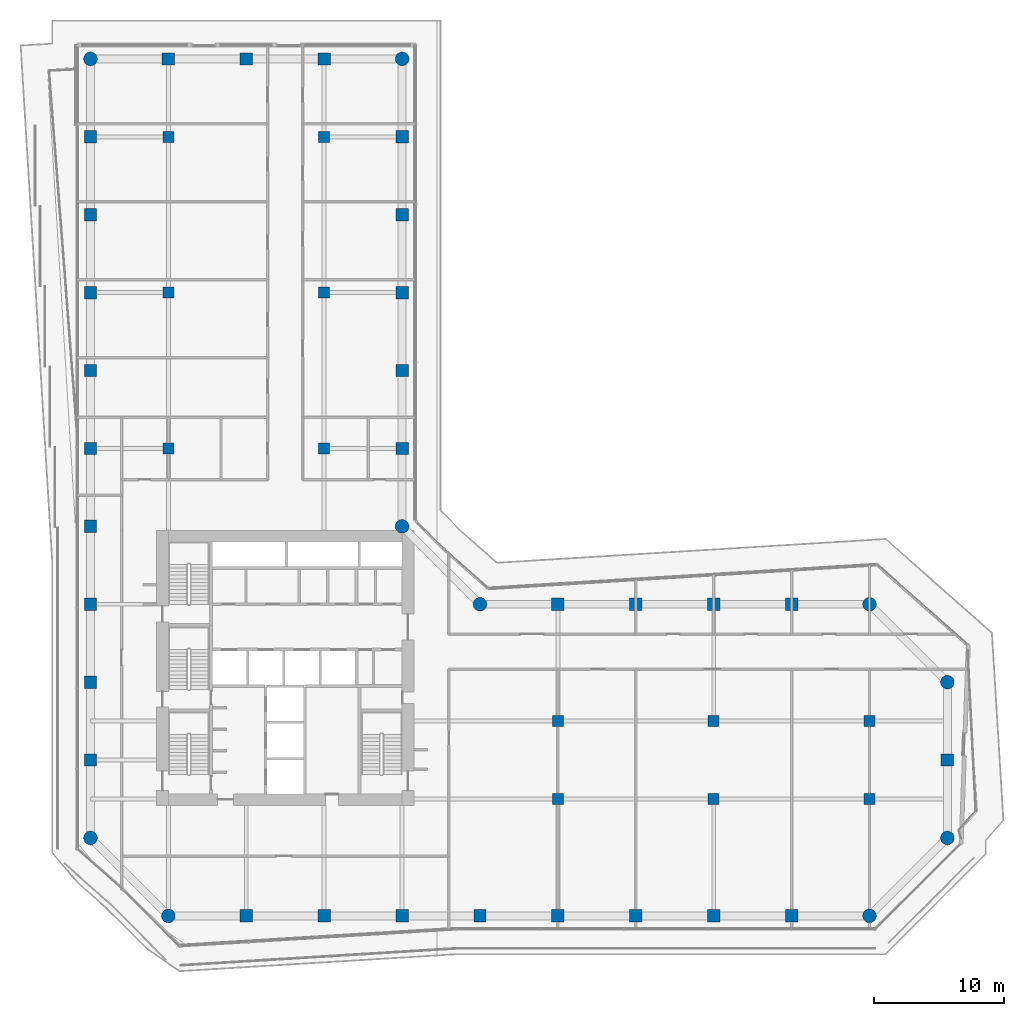
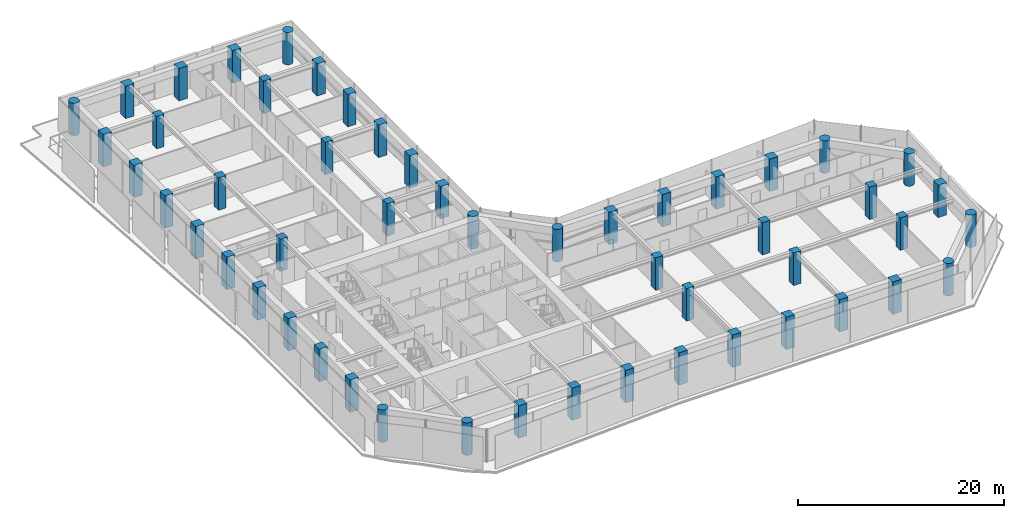
# One storey, part 1 of 29: 52 columns.
"""IFC4 building model written with IfcOpenShell, lengths in metres."""

import ifcopenshell
import ifcopenshell.guid

model = None  # the IFC model being written
_history = None  # IfcOwnerHistory: only IFC2X3 demands one
_inside = {}  # id of a spatial element -> (the spatial element, [elements in it])
_under = {}  # id of a project, library or spatial element -> (it, [spatial elements below it])
_declared = {}  # id of a project -> (the project, [libraries it declares])
_typed = {}  # id of a type object -> (the type object, [elements of that type])
_made_of = {}  # id of a material, layer set ... -> (it, [elements and type objects made of it])


def new_model(schema):
    """Start an empty IFC model of exactly this schema.

    Asked for "IFC4X3", IfcOpenShell would pick the latest addendum, in which some entities
    have other attributes; the version numbers below select the first issue.
    IFC2X3 requires an IfcOwnerHistory on every rooted entity: one is made here for all.
    """
    global model, _history
    if schema == "IFC4X3":
        model = ifcopenshell.file(schema_version=(4, 3, 0, 0))
    else:
        model = ifcopenshell.file(schema=schema)
    _inside.clear()
    _under.clear()
    _declared.clear()
    _typed.clear()
    _made_of.clear()
    _history = None
    if model.schema == "IFC2X3":
        org = make("IfcOrganization", Name="unknown")
        user = make(
            "IfcPersonAndOrganization",
            ThePerson=make("IfcPerson", FamilyName="unknown"),
            TheOrganization=org,
        )
        app = make(
            "IfcApplication",
            ApplicationDeveloper=org,
            Version="unknown",
            ApplicationFullName="unknown",
            ApplicationIdentifier="unknown",
        )
        _history = make(
            "IfcOwnerHistory",
            OwningUser=user,
            OwningApplication=app,
            ChangeAction="ADDED",
            CreationDate=0,
        )
    return model


def make(cls, **values):
    """One entity of the class cls with the attributes given. An attribute that is None is left unset."""
    return model.create_entity(
        cls, **{name: value for name, value in values.items() if value is not None}
    )


def rooted(cls, **values):
    """An entity with a GlobalId (a new one), such as an element, a storey or a relation."""
    return make(cls, GlobalId=ifcopenshell.guid.new(), OwnerHistory=_history, **values)


def si_unit(unit_type, name, prefix=None):
    """IfcSIUnit, for example si_unit("LENGTHUNIT", "METRE", prefix="MILLI")."""
    return make("IfcSIUnit", UnitType=unit_type, Prefix=prefix, Name=name)


def assignment(units):
    """IfcUnitAssignment: the units of a project."""
    return None if units is None else make("IfcUnitAssignment", Units=units)


def point(xyz):
    """IfcCartesianPoint."""
    return None if xyz is None else make("IfcCartesianPoint", Coordinates=xyz)


def direction(xyz):
    """IfcDirection."""
    return None if xyz is None else make("IfcDirection", DirectionRatios=xyz)


def frame(location, z_axis=None, x_axis=None):
    """IfcAxis2Placement3D, a coordinate frame: its origin and axes. An axis left out is left unset."""
    return make(
        "IfcAxis2Placement3D",
        Location=point(location),
        Axis=direction(z_axis),
        RefDirection=direction(x_axis),
    )


def frame_2d(location, x_axis=None):
    """IfcAxis2Placement2D, a coordinate frame in the plane: its origin and x axis."""
    return make(
        "IfcAxis2Placement2D", Location=point(location), RefDirection=direction(x_axis)
    )


def origin():
    """The frame at (0, 0, 0) with its axes left unset."""
    return frame((0.0, 0.0, 0.0))


def origin_2d():
    """The frame at (0, 0) in the plane with its x axis left unset."""
    return frame_2d((0.0, 0.0))


def place(relative_to, where):
    """IfcLocalPlacement: puts the frame where relative to a parent placement (None: the world)."""
    return make(
        "IfcLocalPlacement", PlacementRelTo=relative_to, RelativePlacement=where
    )


def context(
    kind, dimensions, precision=None, world=None, true_north=None, identifier=None
):
    """IfcGeometricRepresentationContext, for example the 3D "Model" context."""
    return make(
        "IfcGeometricRepresentationContext",
        ContextIdentifier=identifier,
        ContextType=kind,
        CoordinateSpaceDimension=dimensions,
        Precision=precision,
        WorldCoordinateSystem=world,
        TrueNorth=true_north,
    )


def subcontext(parent, identifier, kind, view, scale=None):
    """IfcGeometricRepresentationSubContext, for example "Body" below "Model"."""
    return make(
        "IfcGeometricRepresentationSubContext",
        ContextIdentifier=identifier,
        ContextType=kind,
        ParentContext=parent,
        TargetScale=scale,
        TargetView=view,
    )


def project(units=None, contexts=None):
    """IfcProject with its units and contexts."""
    return rooted(
        "IfcProject",
        Name="project",
        RepresentationContexts=contexts,
        UnitsInContext=assignment(units),
    )


def spatial(cls, under=None, at=None, **own):
    """A site, building, storey or space (cls), placed at a placement, below another one or the project."""
    s = rooted(cls, ObjectPlacement=at, **own)
    if under is not None:
        _under.setdefault(under.id(), (under, []))[1].append(s)
    return s


def profile(cls, at=None, kind="AREA", **sizes):
    """A parametric profile (cls). Its sizes go by their IFC names, for example OverallWidth=200.0."""
    return make(cls, ProfileType=kind, Position=at, **sizes)


def rectangle(**sizes):
    """IfcRectangleProfileDef."""
    return profile("IfcRectangleProfileDef", **sizes)


def circle(**sizes):
    """IfcCircleProfileDef."""
    return profile("IfcCircleProfileDef", **sizes)


def extrude(swept, where, along, depth):
    """IfcExtrudedAreaSolid: the profile swept, set in the frame where, extruded along a direction by depth."""
    return make(
        "IfcExtrudedAreaSolid",
        SweptArea=swept,
        Position=where,
        ExtrudedDirection=direction(along),
        Depth=depth,
    )


def shape(context_of_items, identifier, shape_type, items):
    """IfcShapeRepresentation: the items that make up one representation, for example the "Body"."""
    return make(
        "IfcShapeRepresentation",
        ContextOfItems=context_of_items,
        RepresentationIdentifier=identifier,
        RepresentationType=shape_type,
        Items=items,
    )


def material(Name=None, Category=None):
    """IfcMaterial."""
    return make("IfcMaterial", Name=Name, Category=Category)


def material_profile(
    of_material, cross_section, Name=None, Category=None, Priority=None
):
    """IfcMaterialProfile: a cross section and its material."""
    return make(
        "IfcMaterialProfile",
        Name=Name,
        Material=of_material,
        Profile=cross_section,
        Priority=Priority,
        Category=Category,
    )


def profile_set(profiles, Name=None, composite=None):
    """IfcMaterialProfileSet."""
    return make(
        "IfcMaterialProfileSet",
        Name=Name,
        MaterialProfiles=profiles,
        CompositeProfile=composite,
    )


def made_of(thing, what):
    """Note that an element or type object is made of a material, layer set ...; save() writes the relation."""
    if what is not None:
        _made_of.setdefault(what.id(), (what, []))[1].append(thing)
    return thing


def type_object(cls, material=None, **own):
    """A type object (cls), such as IfcWallType, which elements share."""
    return made_of(rooted(cls, **own), material)


def element(
    cls,
    number,
    at=None,
    inside=None,
    cuts=None,
    type_object=None,
    material=None,
    context=None,
    identifier="Body",
    shape_type=None,
    held_by="IfcProductDefinitionShape",
    body=None,
    shapes=None,
    **own,
):
    """One element of the class cls, such as IfcWall. Its Tag is "e" and its number.

    at: its placement. inside: the storey or other place that contains it. cuts: it is an
    opening in that element (IfcRelVoidsElement). A single representation is given by context,
    identifier, shape_type and body (its items); several are given by shapes. held_by: the class
    of the entity that holds the representations. save() writes the other relations.
    """
    e = rooted(cls, Tag="e%d" % number, ObjectPlacement=at, **own)
    if body is not None:
        shapes = [shape(context, identifier, shape_type, body)]
    if shapes is not None:
        e.Representation = make(held_by, Representations=shapes)
    if inside is not None:
        _inside.setdefault(inside.id(), (inside, []))[1].append(e)
    if cuts is not None:
        rooted(
            "IfcRelVoidsElement", RelatingBuildingElement=cuts, RelatedOpeningElement=e
        )
    if type_object is not None:
        _typed.setdefault(type_object.id(), (type_object, []))[1].append(e)
    return made_of(e, material)


def aggregate(whole, parts):
    """IfcRelAggregates: a whole, such as a stair, and the parts it consists of."""
    return rooted("IfcRelAggregates", RelatingObject=whole, RelatedObjects=parts)


def save(model, path):
    """Write the relations noted so far, then the file.

    IfcRelAggregates (storeys below a building ...), IfcRelContainedInSpatialStructure (elements
    in a storey), IfcRelDefinesByType, IfcRelAssociatesMaterial and IfcRelDeclares: one each for
    every whole, place, type object, material and project.
    """
    for whole, parts in _under.values():
        aggregate(whole, parts)
    for where, things in _inside.values():
        rooted(
            "IfcRelContainedInSpatialStructure",
            RelatedElements=things,
            RelatingStructure=where,
        )
    for kind, things in _typed.values():
        rooted("IfcRelDefinesByType", RelatedObjects=things, RelatingType=kind)
    for what, things in _made_of.values():
        rooted("IfcRelAssociatesMaterial", RelatedObjects=things, RelatingMaterial=what)
    for by, libraries in _declared.values():
        rooted("IfcRelDeclares", RelatingContext=by, RelatedDefinitions=libraries)
    model.write(path)


model = new_model("IFC4")

# Units and contexts
model_context = context("Model", 3, precision=1e-05, world=origin(), true_north=direction((0.0, 1.0)))
body_context = subcontext(model_context, "Body", "Model", "MODEL_VIEW")
ifc_project = project(units=[si_unit("LENGTHUNIT", "METRE"), si_unit("AREAUNIT", "SQUARE_METRE"), si_unit("VOLUMEUNIT", "CUBIC_METRE"), si_unit("PLANEANGLEUNIT", "RADIAN"), si_unit("MASSUNIT", "GRAM", prefix="KILO")], contexts=[model_context])

# Site, building, storey
site_placement = place(None, origin())
site = spatial("IfcSite", under=ifc_project, at=site_placement, CompositionType="ELEMENT")
building_placement = place(site_placement, origin())
building = spatial("IfcBuilding", under=site, at=building_placement, Name="Welwitschia Terrace Campus", CompositionType="ELEMENT")
storey_placement = place(building_placement, frame((0.0, 0.0, 66.800048828125)))
storey = spatial("IfcBuildingStorey", under=building, at=storey_placement, Name="L15", CompositionType="ELEMENT", Elevation=66.800048828125)

# Columns
ifc_material_1 = material(Name="Concrete C60/75", Category="concrete")
ifc_material_profile_1 = material_profile(ifc_material_1, circle(Radius=0.52490234375, at=origin_2d()))
ifc_profile_set_1 = profile_set([ifc_material_profile_1], Name="Concrete C60/75")
column_type_1 = type_object("IfcColumnType", Name="Corner column 1050 dia", PredefinedType="COLUMN", material=ifc_profile_set_1)
for number, where, z_axis, x_axis, name in (
    (1, (0.0, 2.0, 0.0), (0.0, 0.0, 1.0), (1.0, 0.0, 0.0), "Column C5"),
    (2, (0.0, 62.0, 0.0), (0.0, 0.0, 1.0), (1.0, 0.0, 0.0), "Column C5"),
    (3, (6.0, -4.0, 0.0), (0.0, 0.0, 1.0), (1.0, 0.0, 0.0), "Column C5"),
    (4, (24.0, 26.0, 0.0), (0.0, 0.0, 1.0), (1.0, 0.0, 0.0), "Column C5"),
    (5, (24.0, 62.0, 0.0), (0.0, 0.0, 1.0), (1.0, 0.0, 0.0), "Column C5"),
    (6, (30.0, 20.0, 0.0), (0.0, 0.0, 1.0), (1.0, 0.0, 0.0), "Column C5"),
    (7, (60.0, -4.0, 0.0), (0.0, 0.0, 1.0), (1.0, 0.0, 0.0), "Column C5"),
    (8, (60.0, 20.0, 0.0), (0.0, 0.0, 1.0), (1.0, 0.0, 0.0), "Column C5"),
    (9, (66.0, 2.0, 0.0), (0.0, 0.0, 1.0), (1.0, 0.0, 0.0), "Column C5"),
    (10, (66.0, 14.0, 0.0), (0.0, 0.0, 1.0), (1.0, 0.0, 0.0), "Column C5"),
):
    element("IfcColumn", number, at=place(storey_placement, frame(where, z_axis=z_axis, x_axis=x_axis)), inside=storey, type_object=column_type_1, Name=name, PredefinedType="COLUMN", context=body_context, shape_type="SweptSolid", body=[
        extrude(circle(Radius=0.52490234375, at=origin_2d()), origin(), (0.0, 0.0, 1.0), 3.849853515625),
    ])
ifc_material_2 = material(Name="Concrete C60/75", Category="concrete")
ifc_material_profile_2 = material_profile(ifc_material_2, rectangle(XDim=0.85009765625, YDim=0.85009765625, at=origin_2d()))
ifc_profile_set_2 = profile_set([ifc_material_profile_2], Name="Concrete C60/75")
column_type_2 = type_object("IfcColumnType", Name="Interior column 850x850", PredefinedType="COLUMN", material=ifc_profile_set_2)
for number, where, z_axis, x_axis, name in (
    (11, (6.0, 32.0, 0.0), (0.0, 0.0, 1.0), (1.0, 0.0, 0.0), "Column C7"),
    (12, (6.0, 44.0, 0.0), (0.0, 0.0, 1.0), (1.0, 0.0, 0.0), "Column C7"),
    (13, (6.0, 56.0, 0.0), (0.0, 0.0, 1.0), (1.0, 0.0, 0.0), "Column C7"),
    (14, (18.0, 32.0, 0.0), (0.0, 0.0, 1.0), (1.0, 0.0, 0.0), "Column C7"),
    (15, (18.0, 44.0, 0.0), (0.0, 0.0, 1.0), (1.0, 0.0, 0.0), "Column C7"),
    (16, (18.0, 56.0, 0.0), (0.0, 0.0, 1.0), (1.0, 0.0, 0.0), "Column C7"),
    (17, (36.0, 5.0, 0.0), (0.0, 0.0, 1.0), (1.0, 0.0, 0.0), "Column C7"),
    (18, (36.0, 11.0, 0.0), (0.0, 0.0, 1.0), (1.0, 0.0, 0.0), "Column C7"),
    (19, (48.0, 5.0, 0.0), (0.0, 0.0, 1.0), (1.0, 0.0, 0.0), "Column C7"),
    (20, (48.0, 11.0, 0.0), (0.0, 0.0, 1.0), (1.0, 0.0, 0.0), "Column C7"),
    (21, (60.0, 5.0, 0.0), (0.0, 0.0, 1.0), (1.0, 0.0, 0.0), "Column C7"),
    (22, (60.0, 11.0, 0.0), (0.0, 0.0, 1.0), (1.0, 0.0, 0.0), "Column C7"),
):
    element("IfcColumn", number, at=place(storey_placement, frame(where, z_axis=z_axis, x_axis=x_axis)), inside=storey, type_object=column_type_2, Name=name, PredefinedType="COLUMN", context=body_context, shape_type="SweptSolid", body=[
        extrude(rectangle(XDim=0.85009765625, YDim=0.85009765625, at=origin_2d()), origin(), (0.0, 0.0, 1.0), 3.849853515625),
    ])
ifc_material_3 = material(Name="Concrete C60/75", Category="concrete")
ifc_material_profile_3 = material_profile(ifc_material_3, rectangle(XDim=0.949951171875, YDim=0.949951171875, at=origin_2d()))
ifc_profile_set_3 = profile_set([ifc_material_profile_3], Name="Concrete C60/75")
column_type_3 = type_object("IfcColumnType", Name="Ring column 950x950", PredefinedType="COLUMN", material=ifc_profile_set_3)
for number, where, z_axis, x_axis, name in (
    (23, (0.0, 8.0, 0.0), (0.0, 0.0, 1.0), (1.0, 0.0, 0.0), "Column C6"),
    (24, (0.0, 14.0, 0.0), (0.0, 0.0, 1.0), (1.0, 0.0, 0.0), "Column C6"),
    (25, (0.0, 20.0, 0.0), (0.0, 0.0, 1.0), (1.0, 0.0, 0.0), "Column C6"),
    (26, (0.0, 26.0, 0.0), (0.0, 0.0, 1.0), (1.0, 0.0, 0.0), "Column C6"),
    (27, (0.0, 32.0, 0.0), (0.0, 0.0, 1.0), (1.0, 0.0, 0.0), "Column C6"),
    (28, (0.0, 38.0, 0.0), (0.0, 0.0, 1.0), (1.0, 0.0, 0.0), "Column C6"),
    (29, (0.0, 44.0, 0.0), (0.0, 0.0, 1.0), (1.0, 0.0, 0.0), "Column C6"),
    (30, (0.0, 50.0, 0.0), (0.0, 0.0, 1.0), (1.0, 0.0, 0.0), "Column C6"),
    (31, (0.0, 56.0, 0.0), (0.0, 0.0, 1.0), (1.0, 0.0, 0.0), "Column C6"),
    (32, (6.0, 62.0, 0.0), (0.0, 0.0, 1.0), (1.0, 0.0, 0.0), "Column C6"),
    (33, (12.0, -4.0, 0.0), (0.0, 0.0, 1.0), (1.0, 0.0, 0.0), "Column C6"),
    (34, (12.0, 62.0, 0.0), (0.0, 0.0, 1.0), (1.0, 0.0, 0.0), "Column C6"),
    (35, (18.0, -4.0, 0.0), (0.0, 0.0, 1.0), (1.0, 0.0, 0.0), "Column C6"),
    (36, (18.0, 62.0, 0.0), (0.0, 0.0, 1.0), (1.0, 0.0, 0.0), "Column C6"),
    (37, (24.0, -4.0, 0.0), (0.0, 0.0, 1.0), (1.0, 0.0, 0.0), "Column C6"),
    (38, (24.0, 32.0, 0.0), (0.0, 0.0, 1.0), (1.0, 0.0, 0.0), "Column C6"),
    (39, (24.0, 38.0, 0.0), (0.0, 0.0, 1.0), (1.0, 0.0, 0.0), "Column C6"),
    (40, (24.0, 44.0, 0.0), (0.0, 0.0, 1.0), (1.0, 0.0, 0.0), "Column C6"),
    (41, (24.0, 50.0, 0.0), (0.0, 0.0, 1.0), (1.0, 0.0, 0.0), "Column C6"),
    (42, (24.0, 56.0, 0.0), (0.0, 0.0, 1.0), (1.0, 0.0, 0.0), "Column C6"),
    (43, (30.0, -4.0, 0.0), (0.0, 0.0, 1.0), (1.0, 0.0, 0.0), "Column C6"),
    (44, (36.0, -4.0, 0.0), (0.0, 0.0, 1.0), (1.0, 0.0, 0.0), "Column C6"),
    (45, (36.0, 20.0, 0.0), (0.0, 0.0, 1.0), (1.0, 0.0, 0.0), "Column C6"),
    (46, (42.0, -4.0, 0.0), (0.0, 0.0, 1.0), (1.0, 0.0, 0.0), "Column C6"),
    (47, (42.0, 20.0, 0.0), (0.0, 0.0, 1.0), (1.0, 0.0, 0.0), "Column C6"),
    (48, (48.0, -4.0, 0.0), (0.0, 0.0, 1.0), (1.0, 0.0, 0.0), "Column C6"),
    (49, (48.0, 20.0, 0.0), (0.0, 0.0, 1.0), (1.0, 0.0, 0.0), "Column C6"),
    (50, (54.0, -4.0, 0.0), (0.0, 0.0, 1.0), (1.0, 0.0, 0.0), "Column C6"),
    (51, (54.0, 20.0, 0.0), (0.0, 0.0, 1.0), (1.0, 0.0, 0.0), "Column C6"),
    (52, (66.0, 8.0, 0.0), (0.0, 0.0, 1.0), (1.0, 0.0, 0.0), "Column C6"),
):
    element("IfcColumn", number, at=place(storey_placement, frame(where, z_axis=z_axis, x_axis=x_axis)), inside=storey, type_object=column_type_3, Name=name, PredefinedType="COLUMN", context=body_context, shape_type="SweptSolid", body=[
        extrude(rectangle(XDim=0.949951171875, YDim=0.949951171875, at=origin_2d()), origin(), (0.0, 0.0, 1.0), 3.849853515625),
    ])

save(model, "model.ifc")
